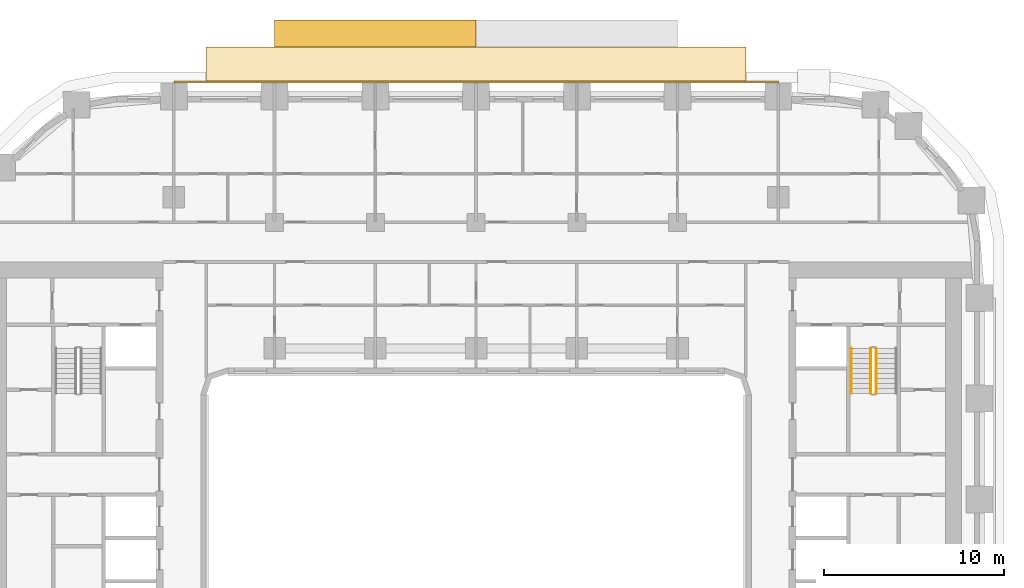
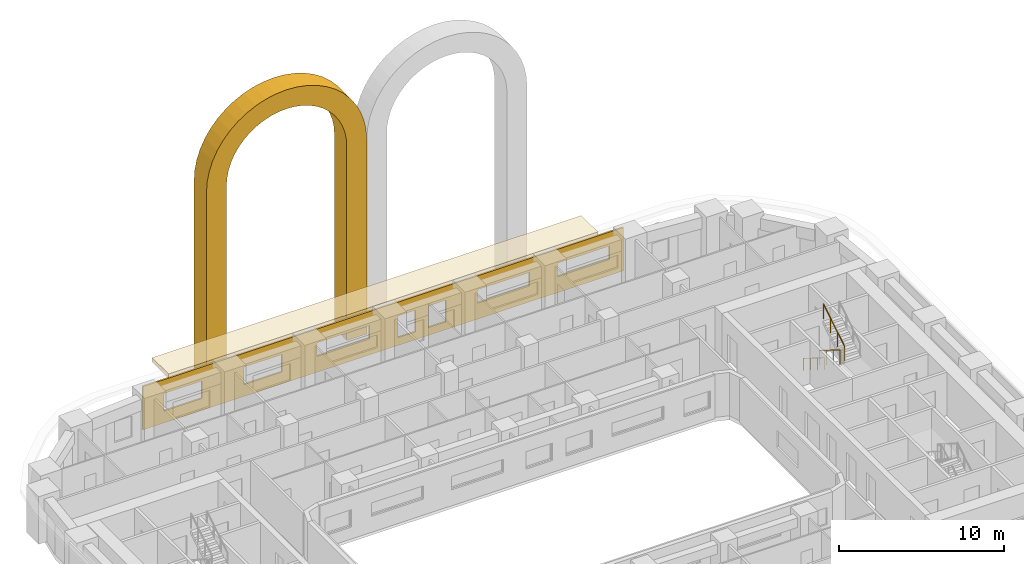
# One storey, part 20 of 21: 3 coverings, 3 railings.
"""IFC4 building model written with IfcOpenShell, lengths in metres."""

from ifc_helpers import new_model, si_unit, direction, frame, origin, origin_2d, place, context, subcontext, project, spatial, polyline, circle, outline, extrude, material, layer, layer_set, type_object, element, save


model = new_model("IFC4")

# Units and contexts
model_context = context("Model", 3, precision=1e-05, world=origin(), true_north=direction((0.0, 1.0)))
body_context = subcontext(model_context, "Body", "Model", "MODEL_VIEW")
ifc_project = project(units=[si_unit("LENGTHUNIT", "METRE"), si_unit("AREAUNIT", "SQUARE_METRE"), si_unit("VOLUMEUNIT", "CUBIC_METRE"), si_unit("PLANEANGLEUNIT", "RADIAN"), si_unit("MASSUNIT", "GRAM", prefix="KILO")], contexts=[model_context])

# Site, building, storey
site_placement = place(None, origin())
site = spatial("IfcSite", under=ifc_project, at=site_placement, CompositionType="ELEMENT")
building_placement = place(site_placement, origin())
building = spatial("IfcBuilding", under=site, at=building_placement, Name="Kiln Ring Residences", CompositionType="ELEMENT")
storey_placement = place(building_placement, frame((0.0, 0.0, 51.5)))
storey = spatial("IfcBuildingStorey", under=building, at=storey_placement, Name="L12", CompositionType="ELEMENT", Elevation=51.5)

# Covering
ifc_material_1 = material(Name="Brick masonry, dark clay brick", Category="masonry")
ifc_layer_1 = layer(ifc_material_1, 1.39990234375)
ifc_layer_set_1 = layer_set([ifc_layer_1], Name="ARCH SURROUND 1500")
covering_type_1 = type_object("IfcCoveringType", Name="ARCH SURROUND 1500", PredefinedType="CLADDING", material=ifc_layer_set_1)
covering_1_placement = place(storey_placement, frame((-11.199951171875, 25.89990234375, 0.0), z_axis=(0.0, 0.0, 1.0), x_axis=(1.0, 0.0, 0.0)))
element("IfcCovering", 1, at=covering_1_placement, inside=storey, type_object=covering_type_1, Name="ARCH SURROUND Z1 N2.1", PredefinedType="CLADDING", context=body_context, shape_type="SweptSolid", body=[
    extrude(outline(polyline([(0.0, 0.0), (0.0, 14.39990234375), (0.0478515625, 15.130859375), (0.19091796875, 15.849365234375), (0.42626953125, 16.54296875), (0.750244140625, 17.199951171875), (1.1572265625, 17.80908203125), (1.64013671875, 18.35986328125), (2.19091796875, 18.8427734375), (2.800048828125, 19.249755859375), (3.45703125, 19.57373046875), (4.150634765625, 19.80908203125), (4.869140625, 19.9521484375), (5.60009765625, 20.0), (6.330810546875, 19.9521484375), (7.04931640625, 19.80908203125), (7.742919921875, 19.57373046875), (8.39990234375, 19.249755859375), (9.009033203125, 18.8427734375), (9.559814453125, 18.35986328125), (10.042724609375, 17.80908203125), (10.44970703125, 17.199951171875), (10.773681640625, 16.54296875), (11.00927734375, 15.849365234375), (11.152099609375, 15.130859375), (11.199951171875, 14.39990234375), (11.199951171875, 0.0), (9.800048828125, 0.0), (9.800048828125, 14.39990234375), (9.76416015625, 14.9482421875), (9.656982421875, 15.487060546875), (9.480224609375, 16.00732421875), (9.2373046875, 16.5), (8.93212890625, 16.956787109375), (8.56982421875, 17.369873046875), (8.15673828125, 17.732177734375), (7.699951171875, 18.037353515625), (7.207275390625, 18.2802734375), (6.68701171875, 18.456787109375), (6.148193359375, 18.564208984375), (5.60009765625, 18.60009765625), (5.0517578125, 18.564208984375), (4.512939453125, 18.456787109375), (3.99267578125, 18.2802734375), (3.5, 18.037353515625), (3.043212890625, 17.732177734375), (2.630126953125, 17.369873046875), (2.267822265625, 16.956787109375), (1.962646484375, 16.5), (1.7197265625, 16.00732421875), (1.543212890625, 15.487060546875), (1.435791015625, 14.9482421875), (1.39990234375, 14.39990234375), (1.39990234375, 0.0), (0.0, 0.0)])), frame((0.0, 0.75, 0.0), z_axis=(0.0, -1.0, 0.0), x_axis=(1.0, 0.0, 0.0)), (0.0, 0.0, 1.0), 1.5),
])

# Railings
ifc_material_2 = material(Name="Stainless steel", Category="steel")
railing_type_1 = type_object("IfcRailingType", Name="CORE-STAIR-GUARD", PredefinedType="GUARDRAIL", material=ifc_material_2)
railing_1_placement = place(storey_placement, frame((21.949951171875, 8.39990234375, 0.175048828125)))
element("IfcRailing", 2, at=railing_1_placement, inside=storey, type_object=railing_type_1, Name="L12 E-STN stair guard 1", PredefinedType="GUARDRAIL", context=body_context, shape_type="SweptSolid", body=[
    extrude(circle(Radius=0.02392578125, at=origin_2d()), frame((0.0, 0.0, 1.076171875), z_axis=(0.0, -0.848007534815, 0.529984170421), x_axis=(1.0, 0.0, 0.0)), (0.0, 0.0, 1.0), 2.9716796875),
    extrude(circle(Radius=0.02099609375, at=origin_2d()), origin(), (0.0, 0.0, 1.0), 1.052001953125),
    extrude(circle(Radius=0.02099609375, at=origin_2d()), frame((0.0, -0.840087890625, 0.52490234375)), (0.0, 0.0, 1.0), 1.052001953125),
    extrude(circle(Radius=0.02099609375, at=origin_2d()), frame((0.0, -1.679931640625, 1.050048828125)), (0.0, 0.0, 1.0), 1.052001953125),
    extrude(circle(Radius=0.02099609375, at=origin_2d()), frame((0.0, -2.52001953125, 1.574951171875)), (0.0, 0.0, 1.0), 1.052001953125),
])
railing_2_placement = place(storey_placement, frame((22.25, 5.8798828125, 1.925048828125)))
element("IfcRailing", 3, at=railing_2_placement, inside=storey, type_object=railing_type_1, Name="L12 E-STN stair guard 3", PredefinedType="GUARDRAIL", context=body_context, shape_type="SweptSolid", body=[
    extrude(circle(Radius=0.02392578125, at=origin_2d()), frame((0.0, 0.0, 1.076171875), z_axis=(0.0, 0.848007534815, 0.529984170421), x_axis=(-1.0, 0.0, 0.0)), (0.0, 0.0, 1.0), 2.9716796875),
    extrude(circle(Radius=0.02099609375, at=origin_2d()), origin(), (0.0, 0.0, 1.0), 1.052001953125),
    extrude(circle(Radius=0.02099609375, at=origin_2d()), frame((0.0, 0.840087890625, 0.52490234375)), (0.0, 0.0, 1.0), 1.052001953125),
    extrude(circle(Radius=0.02099609375, at=origin_2d()), frame((0.0, 1.679931640625, 1.050048828125)), (0.0, 0.0, 1.0), 1.052001953125),
    extrude(circle(Radius=0.02099609375, at=origin_2d()), frame((0.0, 2.52001953125, 1.574951171875)), (0.0, 0.0, 1.0), 1.052001953125),
])
ifc_material_3 = material(Name="Stainless steel", Category="steel")
railing_type_2 = type_object("IfcRailingType", Name="CORE-STAIR-HANDRAIL", PredefinedType="HANDRAIL", material=ifc_material_3)
railing_3_placement = place(storey_placement, frame((20.85009765625, 8.39990234375, 0.175048828125)))
element("IfcRailing", 4, at=railing_3_placement, inside=storey, type_object=railing_type_2, Name="L12 E-STN stair handrail 1", PredefinedType="HANDRAIL", context=body_context, shape_type="SweptSolid", body=[
    extrude(circle(Radius=0.02392578125, at=origin_2d()), frame((0.0, 0.0, 0.8759765625), z_axis=(0.0, -0.848007534815, 0.529984170421), x_axis=(1.0, 0.0, 0.0)), (0.0, 0.0, 1.0), 2.9716796875),
    extrude(circle(Radius=0.02099609375, at=origin_2d()), origin(), (0.0, 0.0, 1.0), 0.851806640625),
    extrude(circle(Radius=0.02099609375, at=origin_2d()), frame((0.0, -0.840087890625, 0.52490234375)), (0.0, 0.0, 1.0), 0.851806640625),
    extrude(circle(Radius=0.02099609375, at=origin_2d()), frame((0.0, -1.679931640625, 1.050048828125)), (0.0, 0.0, 1.0), 0.851806640625),
    extrude(circle(Radius=0.02099609375, at=origin_2d()), frame((0.0, -2.52001953125, 1.574951171875)), (0.0, 0.0, 1.0), 0.851806640625),
])

# Coverings
ifc_material_4 = material(Name="Brick masonry, dark clay brick", Category="masonry")
ifc_layer_2 = layer(ifc_material_4, 0.1201171875)
ifc_layer_set_2 = layer_set([ifc_layer_2], Name="RAINSCREEN PANEL 120")
covering_type_2 = type_object("IfcCoveringType", Name="RAINSCREEN PANEL 120", PredefinedType="CLADDING", material=ifc_layer_set_2)
covering_2_placement = place(storey_placement, frame((16.800048828125, 23.2099609375, 0.0), z_axis=(0.0, 0.0, 1.0), x_axis=(-1.0, 0.0, 0.0)))
element("IfcCovering", 5, at=covering_2_placement, inside=storey, type_object=covering_type_2, Name="RAINSCREEN L12", PredefinedType="CLADDING", context=body_context, shape_type="SweptSolid", body=[
    extrude(outline(polyline([(0.0, 0.0), (33.60009765625, 0.0), (33.60009765625, 3.199951171875), (0.0, 3.199951171875), (0.0, 0.0)]), holes=[polyline([(13.657470703125, 0.580078125), (13.657470703125, 2.169921875), (12.41748046875, 2.169921875), (12.41748046875, 0.580078125), (13.657470703125, 0.580078125)]), polyline([(14.54248046875, 0.580078125), (15.782470703125, 0.580078125), (15.782470703125, 2.169921875), (14.54248046875, 2.169921875), (14.54248046875, 0.580078125)]), polyline([(23.8798828125, 0.8798828125), (26.52001953125, 0.8798828125), (26.52001953125, 2.169921875), (23.8798828125, 2.169921875), (23.8798828125, 0.8798828125)]), polyline([(29.47998046875, 0.8798828125), (32.1201171875, 0.8798828125), (32.1201171875, 2.169921875), (29.47998046875, 2.169921875), (29.47998046875, 0.8798828125)]), polyline([(0.97998046875, 1.179931640625), (4.6201171875, 1.179931640625), (4.6201171875, 2.169921875), (0.97998046875, 2.169921875), (0.97998046875, 1.179931640625)]), polyline([(6.580078125, 1.179931640625), (10.219970703125, 1.179931640625), (10.219970703125, 2.169921875), (6.580078125, 2.169921875), (6.580078125, 1.179931640625)]), polyline([(17.780029296875, 1.179931640625), (21.419921875, 1.179931640625), (21.419921875, 2.169921875), (17.780029296875, 2.169921875), (17.780029296875, 1.179931640625)])]), frame((0.0, 0.06005859375, 0.0), z_axis=(0.0, -1.0, 0.0), x_axis=(1.0, 0.0, 0.0)), (0.0, 0.0, 1.0), 0.1201171875),
])
ifc_material_5 = material(Name="Black powder-coated steel", Category="steel")
ifc_layer_3 = layer(ifc_material_5, 0.300048828125)
ifc_layer_set_3 = layer_set([ifc_layer_3], Name="SUNSHADE BAND 2000")
covering_type_3 = type_object("IfcCoveringType", Name="SUNSHADE BAND 2000", PredefinedType="CLADDING", material=ifc_layer_set_3)
covering_3_placement = place(storey_placement, frame((0.0, 0.0, 3.199951171875)))
element("IfcCovering", 6, at=covering_3_placement, inside=storey, type_object=covering_type_3, Name="SUNSHADE BAND L12", PredefinedType="CLADDING", context=body_context, shape_type="SweptSolid", body=[
    extrude(outline(polyline([(15.0, 25.14990234375), (-15.0, 25.14990234375), (-15.0, 23.14990234375), (15.0, 23.14990234375), (15.0, 25.14990234375)])), origin(), (0.0, 0.0, 1.0), 0.300048828125),
])

save(model, "model.ifc")
